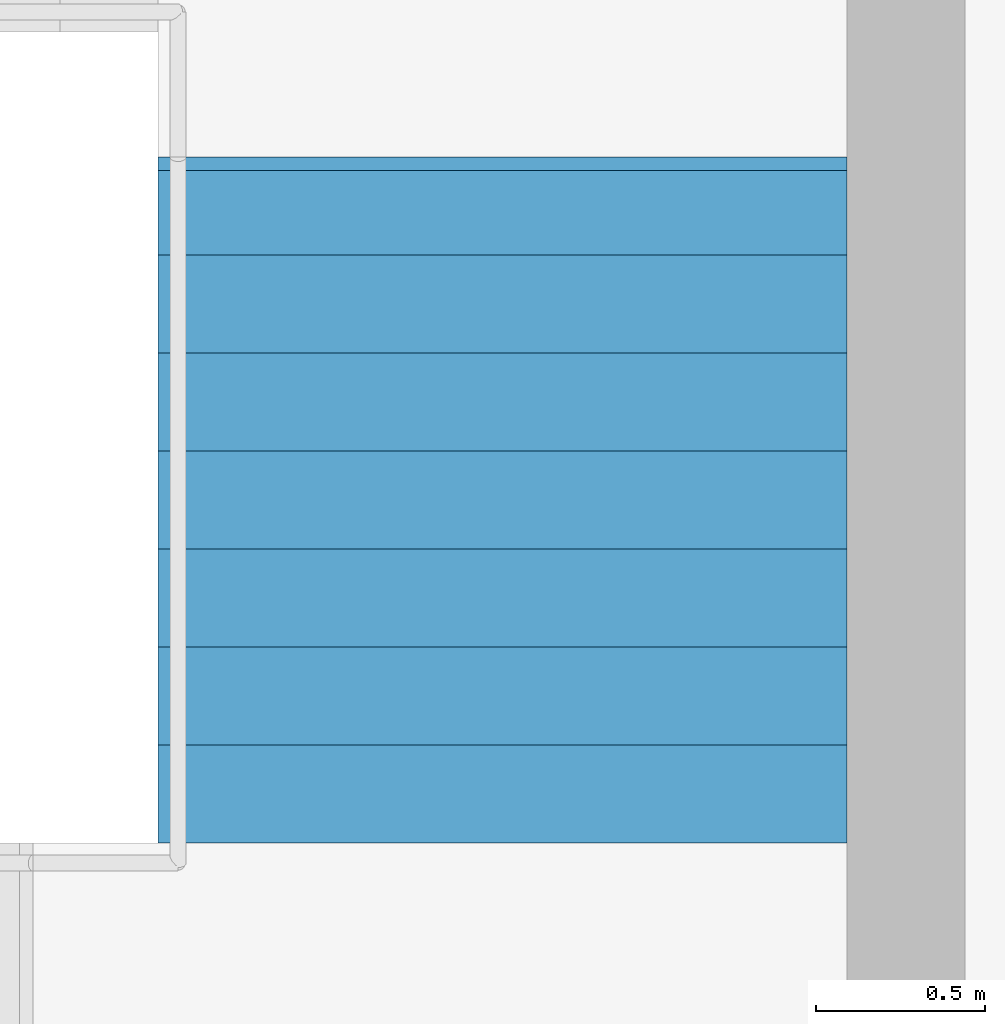
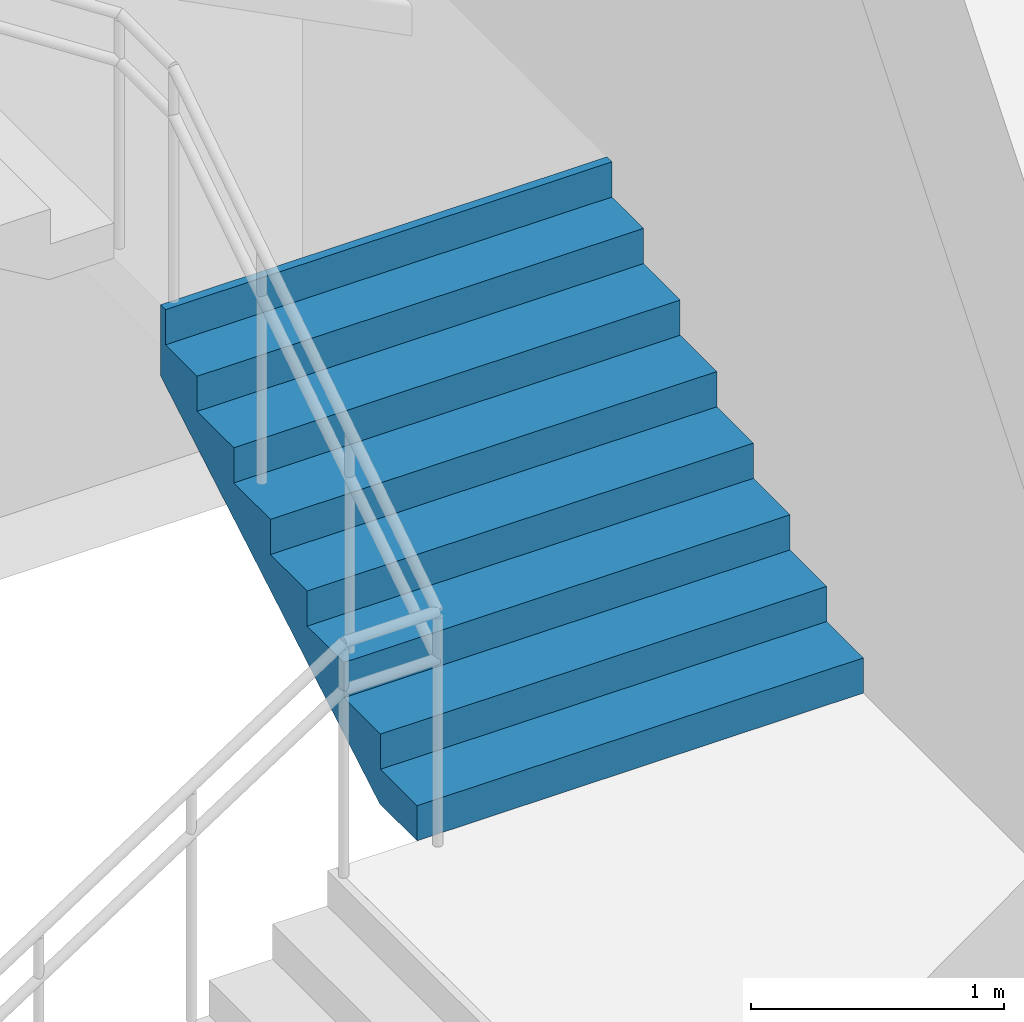
# One storey, part 32 of 50: 1 stair flight, 1 element without a shape of its own.
"""IFC4 building model written with IfcOpenShell, lengths in metres."""

from ifc_helpers import new_model, si_unit, direction, frame, origin, place, context, subcontext, project, spatial, triangles, material, type_object, element, aggregate, save


model = new_model("IFC4")

# Units and contexts
model_context = context("Model", 3, precision=1e-05, world=origin(), true_north=direction((0.0, 1.0)))
body_context = subcontext(model_context, "Body", "Model", "MODEL_VIEW")
ifc_project = project(units=[si_unit("LENGTHUNIT", "METRE"), si_unit("AREAUNIT", "SQUARE_METRE"), si_unit("VOLUMEUNIT", "CUBIC_METRE"), si_unit("PLANEANGLEUNIT", "RADIAN"), si_unit("MASSUNIT", "GRAM", prefix="KILO")], contexts=[model_context])

# Site, building, storey
site_placement = place(None, origin())
site = spatial("IfcSite", under=ifc_project, at=site_placement, CompositionType="ELEMENT")
building_placement = place(site_placement, origin())
building = spatial("IfcBuilding", under=site, at=building_placement, Name="Sillaruma Civic Art Gallery", CompositionType="ELEMENT")
storey_placement = place(building_placement, origin())
storey = spatial("IfcBuildingStorey", under=building, at=storey_placement, Name="L00", CompositionType="ELEMENT", Elevation=0.0)

# Stair, stair flight
ifc_material = material(Name="Concrete H35 (35 MPa)", Category="concrete")
stair_type = type_object("IfcStairType", Name="STR-4F-32", PredefinedType="USERDEFINED", material=ifc_material)
stair_placement = place(storey_placement, origin())
stair = element("IfcStair", 1, at=stair_placement, inside=storey, type_object=stair_type, Name="Protected Exit Stair ST-04 (East Bar) (L00)", ObjectType="THREE_RETURN_STAIR", PredefinedType="USERDEFINED")
stair_flight_type = type_object("IfcStairFlightType", Name="SFL-STR-8", PredefinedType="STRAIGHT", material=ifc_material)
stair_flight_placement = place(storey_placement, frame((104.320068359375, 53.25, 1.360107421875), z_axis=(0.0, 0.0, 1.0), x_axis=(0.0, 1.0, 0.0)))
stair_flight = element("IfcStairFlight", 2, at=stair_flight_placement, type_object=stair_flight_type, Name="ST-04 flight 2", NumberOfRisers=8, NumberOfTreads=7, PredefinedType="STRAIGHT", RiserHeight=0.17, TreadLength=0.29, context=body_context, shape_type="Tessellation", body=[
    triangles([(0.0, -1.02001953125, 0.0), (0.29, -1.02001953125, 0.0), (0.296443, -1.02001953125, 0.0), (0.58, -1.02001953125, 0.166223), (0.87, -1.02001953125, 0.336223), (1.16, -1.02001953125, 0.506223), (1.45, -1.02001953125, 0.676223), (1.74, -1.02001953125, 0.846223), (1.990029, -1.02001953125, 0.992792), (2.030029, -1.02001953125, 1.01624), (2.030029, -1.02001953125, 1.36), (1.990029, -1.02001953125, 1.36), (1.990029, -1.02001953125, 1.19), (1.74, -1.02001953125, 1.19), (1.74, -1.02001953125, 1.02), (1.45, -1.02001953125, 1.02), (1.45, -1.02001953125, 0.85), (1.16, -1.02001953125, 0.85), (1.16, -1.02001953125, 0.68), (0.87, -1.02001953125, 0.68), (0.87, -1.02001953125, 0.51), (0.58, -1.02001953125, 0.51), (0.58, -1.02001953125, 0.34), (0.296443, -1.02001953125, 0.34), (0.29, -1.02001953125, 0.34), (0.29, -1.02001953125, 0.17), (0.0, -1.02001953125, 0.17), (0.0, -0.05, 0.0), (0.29, -0.05, 0.0), (0.296443, -0.05, 0.0), (0.58, -0.05, 0.166223), (0.87, -0.05, 0.336223), (1.16, -0.05, 0.506223), (1.45, -0.05, 0.676223), (1.74, -0.05, 0.846223), (1.990029, -0.05, 0.992792), (2.030029, -0.05, 1.01624), (2.030029, -0.05, 1.36), (1.990029, -0.05, 1.36), (1.990029, -0.05, 1.19), (1.74, -0.05, 1.19), (1.74, -0.05, 1.02), (1.45, -0.05, 1.02), (1.45, -0.05, 0.85), (1.16, -0.05, 0.85), (1.16, -0.05, 0.68), (0.87, -0.05, 0.68), (0.87, -0.05, 0.51), (0.58, -0.05, 0.51), (0.58, -0.05, 0.34), (0.296443, -0.05, 0.34), (0.29, -0.05, 0.34), (0.29, -0.05, 0.17), (0.0, -0.05, 0.17), (0.0, -0.0375, 0.0), (0.29, -0.0375, 0.0), (0.296443, -0.0375, 0.0), (0.58, -0.0375, 0.166223), (0.87, -0.0375, 0.336223), (1.16, -0.0375, 0.506223), (1.45, -0.0375, 0.676223), (1.74, -0.0375, 0.846223), (1.990029, -0.0375, 0.992792), (2.030029, -0.0375, 1.01624), (2.030029, -0.0375, 1.36), (1.990029, -0.0375, 1.36), (1.990029, -0.0375, 1.19), (1.74, -0.0375, 1.19), (1.74, -0.0375, 1.02), (1.45, -0.0375, 1.02), (1.45, -0.0375, 0.85), (1.16, -0.0375, 0.85), (1.16, -0.0375, 0.68), (0.87, -0.0375, 0.68), (0.87, -0.0375, 0.51), (0.58, -0.0375, 0.51), (0.58, -0.0375, 0.34), (0.296443, -0.0375, 0.34), (0.29, -0.0375, 0.34), (0.29, -0.0375, 0.17), (0.0, -0.0375, 0.17), (0.0, -0.025, 0.0), (0.29, -0.025, 0.0), (0.296443, -0.025, 0.0), (0.58, -0.025, 0.166223), (0.87, -0.025, 0.336223), (1.16, -0.025, 0.506223), (1.45, -0.025, 0.676223), (1.74, -0.025, 0.846223), (1.990029, -0.025, 0.992792), (2.030029, -0.025, 1.01624), (2.030029, -0.025, 1.36), (1.990029, -0.025, 1.36), (1.990029, -0.025, 1.19), (1.74, -0.025, 1.19), (1.74, -0.025, 1.02), (1.45, -0.025, 1.02), (1.45, -0.025, 0.85), (1.16, -0.025, 0.85), (1.16, -0.025, 0.68), (0.87, -0.025, 0.68), (0.87, -0.025, 0.51), (0.58, -0.025, 0.51), (0.58, -0.025, 0.34), (0.296443, -0.025, 0.34), (0.29, -0.025, 0.34), (0.29, -0.025, 0.17), (0.0, -0.025, 0.17), (0.0, -0.0125, 0.0), (0.29, -0.0125, 0.0), (0.296443, -0.0125, 0.0), (0.58, -0.0125, 0.166223), (0.87, -0.0125, 0.336223), (1.16, -0.0125, 0.506223), (1.45, -0.0125, 0.676223), (1.74, -0.0125, 0.846223), (1.990029, -0.0125, 0.992792), (2.030029, -0.0125, 1.01624), (2.030029, -0.0125, 1.36), (1.990029, -0.0125, 1.36), (1.990029, -0.0125, 1.19), (1.74, -0.0125, 1.19), (1.74, -0.0125, 1.02), (1.45, -0.0125, 1.02), (1.45, -0.0125, 0.85), (1.16, -0.0125, 0.85), (1.16, -0.0125, 0.68), (0.87, -0.0125, 0.68), (0.87, -0.0125, 0.51), (0.58, -0.0125, 0.51), (0.58, -0.0125, 0.34), (0.296443, -0.0125, 0.34), (0.29, -0.0125, 0.34), (0.29, -0.0125, 0.17), (0.0, -0.0125, 0.17), (0.0, 0.0, 0.0), (0.29, 0.0, 0.0), (0.296443, 0.0, 0.0), (0.58, 0.0, 0.166223), (0.87, 0.0, 0.336223), (1.16, 0.0, 0.506223), (1.45, 0.0, 0.676223), (1.74, 0.0, 0.846223), (1.990029, 0.0, 0.992792), (2.030029, 0.0, 1.01624), (2.030029, 0.0, 1.36), (1.990029, 0.0, 1.36), (1.990029, 0.0, 1.19), (1.74, 0.0, 1.19), (1.74, 0.0, 1.02), (1.45, 0.0, 1.02), (1.45, 0.0, 0.85), (1.16, 0.0, 0.85), (1.16, 0.0, 0.68), (0.87, 0.0, 0.68), (0.87, 0.0, 0.51), (0.58, 0.0, 0.51), (0.58, 0.0, 0.34), (0.296443, 0.0, 0.34), (0.29, 0.0, 0.34), (0.29, 0.0, 0.17), (0.0, 0.0, 0.17), (0.0, 0.0125, 0.0), (0.29, 0.0125, 0.0), (0.296443, 0.0125, 0.0), (0.58, 0.0125, 0.166223), (0.87, 0.0125, 0.336223), (1.16, 0.0125, 0.506223), (1.45, 0.0125, 0.676223), (1.74, 0.0125, 0.846223), (1.990029, 0.0125, 0.992792), (2.030029, 0.0125, 1.01624), (2.030029, 0.0125, 1.36), (1.990029, 0.0125, 1.36), (1.990029, 0.0125, 1.19), (1.74, 0.0125, 1.19), (1.74, 0.0125, 1.02), (1.45, 0.0125, 1.02), (1.45, 0.0125, 0.85), (1.16, 0.0125, 0.85), (1.16, 0.0125, 0.68), (0.87, 0.0125, 0.68), (0.87, 0.0125, 0.51), (0.58, 0.0125, 0.51), (0.58, 0.0125, 0.34), (0.296443, 0.0125, 0.34), (0.29, 0.0125, 0.34), (0.29, 0.0125, 0.17), (0.0, 0.0125, 0.17), (0.0, 0.025, 0.0), (0.29, 0.025, 0.0), (0.296443, 0.025, 0.0), (0.58, 0.025, 0.166223), (0.87, 0.025, 0.336223), (1.16, 0.025, 0.506223), (1.45, 0.025, 0.676223), (1.74, 0.025, 0.846223), (1.990029, 0.025, 0.992792), (2.030029, 0.025, 1.01624), (2.030029, 0.025, 1.36), (1.990029, 0.025, 1.36), (1.990029, 0.025, 1.19), (1.74, 0.025, 1.19), (1.74, 0.025, 1.02), (1.45, 0.025, 1.02), (1.45, 0.025, 0.85), (1.16, 0.025, 0.85), (1.16, 0.025, 0.68), (0.87, 0.025, 0.68), (0.87, 0.025, 0.51), (0.58, 0.025, 0.51), (0.58, 0.025, 0.34), (0.296443, 0.025, 0.34), (0.29, 0.025, 0.34), (0.29, 0.025, 0.17), (0.0, 0.025, 0.17), (0.0, 0.0375, 0.0), (0.29, 0.0375, 0.0), (0.296443, 0.0375, 0.0), (0.58, 0.0375, 0.166223), (0.87, 0.0375, 0.336223), (1.16, 0.0375, 0.506223), (1.45, 0.0375, 0.676223), (1.74, 0.0375, 0.846223), (1.990029, 0.0375, 0.992792), (2.030029, 0.0375, 1.01624), (2.030029, 0.0375, 1.36), (1.990029, 0.0375, 1.36), (1.990029, 0.0375, 1.19), (1.74, 0.0375, 1.19), (1.74, 0.0375, 1.02), (1.45, 0.0375, 1.02), (1.45, 0.0375, 0.85), (1.16, 0.0375, 0.85), (1.16, 0.0375, 0.68), (0.87, 0.0375, 0.68), (0.87, 0.0375, 0.51), (0.58, 0.0375, 0.51), (0.58, 0.0375, 0.34), (0.296443, 0.0375, 0.34), (0.29, 0.0375, 0.34), (0.29, 0.0375, 0.17), (0.0, 0.0375, 0.17), (0.0, 0.05, 0.0), (0.29, 0.05, 0.0), (0.296443, 0.05, 0.0), (0.58, 0.05, 0.166223), (0.87, 0.05, 0.336223), (1.16, 0.05, 0.506223), (1.45, 0.05, 0.676223), (1.74, 0.05, 0.846223), (1.990029, 0.05, 0.992792), (2.030029, 0.05, 1.01624), (2.030029, 0.05, 1.36), (1.990029, 0.05, 1.36), (1.990029, 0.05, 1.19), (1.74, 0.05, 1.19), (1.74, 0.05, 1.02), (1.45, 0.05, 1.02), (1.45, 0.05, 0.85), (1.16, 0.05, 0.85), (1.16, 0.05, 0.68), (0.87, 0.05, 0.68), (0.87, 0.05, 0.51), (0.58, 0.05, 0.51), (0.58, 0.05, 0.34), (0.296443, 0.05, 0.34), (0.29, 0.05, 0.34), (0.29, 0.05, 0.17), (0.0, 0.05, 0.17), (0.0, 1.02001953125, 0.0), (0.29, 1.02001953125, 0.0), (0.296443, 1.02001953125, 0.0), (0.58, 1.02001953125, 0.166223), (0.87, 1.02001953125, 0.336223), (1.16, 1.02001953125, 0.506223), (1.45, 1.02001953125, 0.676223), (1.74, 1.02001953125, 0.846223), (1.990029, 1.02001953125, 0.992792), (2.030029, 1.02001953125, 1.01624), (2.030029, 1.02001953125, 1.36), (1.990029, 1.02001953125, 1.36), (1.990029, 1.02001953125, 1.19), (1.74, 1.02001953125, 1.19), (1.74, 1.02001953125, 1.02), (1.45, 1.02001953125, 1.02), (1.45, 1.02001953125, 0.85), (1.16, 1.02001953125, 0.85), (1.16, 1.02001953125, 0.68), (0.87, 1.02001953125, 0.68), (0.87, 1.02001953125, 0.51), (0.58, 1.02001953125, 0.51), (0.58, 1.02001953125, 0.34), (0.296443, 1.02001953125, 0.34), (0.29, 1.02001953125, 0.34), (0.29, 1.02001953125, 0.17), (0.0, 1.02001953125, 0.17)], [[1, 2, 26], [1, 26, 27], [2, 3, 24], [2, 24, 26], [26, 24, 25], [3, 4, 23], [3, 23, 24], [4, 5, 21], [4, 21, 23], [23, 21, 22], [5, 6, 19], [5, 19, 21], [21, 19, 20], [6, 7, 17], [6, 17, 19], [19, 17, 18], [7, 8, 15], [7, 15, 17], [17, 15, 16], [8, 9, 13], [8, 13, 15], [15, 13, 14], [9, 10, 11], [9, 11, 13], [13, 11, 12], [296, 272, 271], [297, 296, 271], [294, 273, 272], [296, 294, 272], [295, 294, 296], [293, 274, 273], [294, 293, 273], [291, 275, 274], [293, 291, 274], [292, 291, 293], [289, 276, 275], [291, 289, 275], [290, 289, 291], [287, 277, 276], [289, 287, 276], [288, 287, 289], [285, 278, 277], [287, 285, 277], [286, 285, 287], [283, 279, 278], [285, 283, 278], [284, 283, 285], [281, 280, 279], [283, 281, 279], [282, 281, 283], [2, 1, 28], [2, 28, 29], [3, 2, 29], [3, 29, 30], [4, 3, 30], [4, 30, 31], [5, 4, 31], [5, 31, 32], [6, 5, 32], [6, 32, 33], [7, 6, 33], [7, 33, 34], [8, 7, 34], [8, 34, 35], [9, 8, 35], [9, 35, 36], [10, 9, 36], [10, 36, 37], [11, 10, 37], [11, 37, 38], [12, 11, 38], [12, 38, 39], [13, 12, 39], [13, 39, 40], [14, 13, 40], [14, 40, 41], [15, 14, 41], [15, 41, 42], [16, 15, 42], [16, 42, 43], [17, 16, 43], [17, 43, 44], [18, 17, 44], [18, 44, 45], [19, 18, 45], [19, 45, 46], [20, 19, 46], [20, 46, 47], [21, 20, 47], [21, 47, 48], [22, 21, 48], [22, 48, 49], [23, 22, 49], [23, 49, 50], [24, 23, 50], [24, 50, 51], [25, 24, 51], [25, 51, 52], [26, 25, 52], [26, 52, 53], [27, 26, 53], [27, 53, 54], [1, 27, 54], [1, 54, 28], [29, 28, 55], [29, 55, 56], [30, 29, 56], [30, 56, 57], [31, 30, 57], [31, 57, 58], [32, 31, 58], [32, 58, 59], [33, 32, 59], [33, 59, 60], [34, 33, 60], [34, 60, 61], [35, 34, 61], [35, 61, 62], [36, 35, 62], [36, 62, 63], [37, 36, 63], [37, 63, 64], [38, 37, 64], [38, 64, 65], [39, 38, 65], [39, 65, 66], [40, 39, 66], [40, 66, 67], [41, 40, 67], [41, 67, 68], [42, 41, 68], [42, 68, 69], [43, 42, 69], [43, 69, 70], [44, 43, 70], [44, 70, 71], [45, 44, 71], [45, 71, 72], [46, 45, 72], [46, 72, 73], [47, 46, 73], [47, 73, 74], [48, 47, 74], [48, 74, 75], [49, 48, 75], [49, 75, 76], [50, 49, 76], [50, 76, 77], [51, 50, 77], [51, 77, 78], [52, 51, 78], [52, 78, 79], [53, 52, 79], [53, 79, 80], [54, 53, 80], [54, 80, 81], [28, 54, 81], [28, 81, 55], [56, 55, 82], [56, 82, 83], [57, 56, 83], [57, 83, 84], [58, 57, 84], [58, 84, 85], [59, 58, 85], [59, 85, 86], [60, 59, 86], [60, 86, 87], [61, 60, 87], [61, 87, 88], [62, 61, 88], [62, 88, 89], [63, 62, 89], [63, 89, 90], [64, 63, 90], [64, 90, 91], [65, 64, 91], [65, 91, 92], [66, 65, 92], [66, 92, 93], [67, 66, 93], [67, 93, 94], [68, 67, 94], [68, 94, 95], [69, 68, 95], [69, 95, 96], [70, 69, 96], [70, 96, 97], [71, 70, 97], [71, 97, 98], [72, 71, 98], [72, 98, 99], [73, 72, 99], [73, 99, 100], [74, 73, 100], [74, 100, 101], [75, 74, 101], [75, 101, 102], [76, 75, 102], [76, 102, 103], [77, 76, 103], [77, 103, 104], [78, 77, 104], [78, 104, 105], [79, 78, 105], [79, 105, 106], [80, 79, 106], [80, 106, 107], [81, 80, 107], [81, 107, 108], [55, 81, 108], [55, 108, 82], [83, 82, 109], [83, 109, 110], [84, 83, 110], [84, 110, 111], [85, 84, 111], [85, 111, 112], [86, 85, 112], [86, 112, 113], [87, 86, 113], [87, 113, 114], [88, 87, 114], [88, 114, 115], [89, 88, 115], [89, 115, 116], [90, 89, 116], [90, 116, 117], [91, 90, 117], [91, 117, 118], [92, 91, 118], [92, 118, 119], [93, 92, 119], [93, 119, 120], [94, 93, 120], [94, 120, 121], [95, 94, 121], [95, 121, 122], [96, 95, 122], [96, 122, 123], [97, 96, 123], [97, 123, 124], [98, 97, 124], [98, 124, 125], [99, 98, 125], [99, 125, 126], [100, 99, 126], [100, 126, 127], [101, 100, 127], [101, 127, 128], [102, 101, 128], [102, 128, 129], [103, 102, 129], [103, 129, 130], [104, 103, 130], [104, 130, 131], [105, 104, 131], [105, 131, 132], [106, 105, 132], [106, 132, 133], [107, 106, 133], [107, 133, 134], [108, 107, 134], [108, 134, 135], [82, 108, 135], [82, 135, 109], [110, 109, 136], [110, 136, 137], [111, 110, 137], [111, 137, 138], [112, 111, 138], [112, 138, 139], [113, 112, 139], [113, 139, 140], [114, 113, 140], [114, 140, 141], [115, 114, 141], [115, 141, 142], [116, 115, 142], [116, 142, 143], [117, 116, 143], [117, 143, 144], [118, 117, 144], [118, 144, 145], [119, 118, 145], [119, 145, 146], [120, 119, 146], [120, 146, 147], [121, 120, 147], [121, 147, 148], [122, 121, 148], [122, 148, 149], [123, 122, 149], [123, 149, 150], [124, 123, 150], [124, 150, 151], [125, 124, 151], [125, 151, 152], [126, 125, 152], [126, 152, 153], [127, 126, 153], [127, 153, 154], [128, 127, 154], [128, 154, 155], [129, 128, 155], [129, 155, 156], [130, 129, 156], [130, 156, 157], [131, 130, 157], [131, 157, 158], [132, 131, 158], [132, 158, 159], [133, 132, 159], [133, 159, 160], [134, 133, 160], [134, 160, 161], [135, 134, 161], [135, 161, 162], [109, 135, 162], [109, 162, 136], [137, 136, 163], [137, 163, 164], [138, 137, 164], [138, 164, 165], [139, 138, 165], [139, 165, 166], [140, 139, 166], [140, 166, 167], [141, 140, 167], [141, 167, 168], [142, 141, 168], [142, 168, 169], [143, 142, 169], [143, 169, 170], [144, 143, 170], [144, 170, 171], [145, 144, 171], [145, 171, 172], [146, 145, 172], [146, 172, 173], [147, 146, 173], [147, 173, 174], [148, 147, 174], [148, 174, 175], [149, 148, 175], [149, 175, 176], [150, 149, 176], [150, 176, 177], [151, 150, 177], [151, 177, 178], [152, 151, 178], [152, 178, 179], [153, 152, 179], [153, 179, 180], [154, 153, 180], [154, 180, 181], [155, 154, 181], [155, 181, 182], [156, 155, 182], [156, 182, 183], [157, 156, 183], [157, 183, 184], [158, 157, 184], [158, 184, 185], [159, 158, 185], [159, 185, 186], [160, 159, 186], [160, 186, 187], [161, 160, 187], [161, 187, 188], [162, 161, 188], [162, 188, 189], [136, 162, 189], [136, 189, 163], [164, 163, 190], [164, 190, 191], [165, 164, 191], [165, 191, 192], [166, 165, 192], [166, 192, 193], [167, 166, 193], [167, 193, 194], [168, 167, 194], [168, 194, 195], [169, 168, 195], [169, 195, 196], [170, 169, 196], [170, 196, 197], [171, 170, 197], [171, 197, 198], [172, 171, 198], [172, 198, 199], [173, 172, 199], [173, 199, 200], [174, 173, 200], [174, 200, 201], [175, 174, 201], [175, 201, 202], [176, 175, 202], [176, 202, 203], [177, 176, 203], [177, 203, 204], [178, 177, 204], [178, 204, 205], [179, 178, 205], [179, 205, 206], [180, 179, 206], [180, 206, 207], [181, 180, 207], [181, 207, 208], [182, 181, 208], [182, 208, 209], [183, 182, 209], [183, 209, 210], [184, 183, 210], [184, 210, 211], [185, 184, 211], [185, 211, 212], [186, 185, 212], [186, 212, 213], [187, 186, 213], [187, 213, 214], [188, 187, 214], [188, 214, 215], [189, 188, 215], [189, 215, 216], [163, 189, 216], [163, 216, 190], [191, 190, 217], [191, 217, 218], [192, 191, 218], [192, 218, 219], [193, 192, 219], [193, 219, 220], [194, 193, 220], [194, 220, 221], [195, 194, 221], [195, 221, 222], [196, 195, 222], [196, 222, 223], [197, 196, 223], [197, 223, 224], [198, 197, 224], [198, 224, 225], [199, 198, 225], [199, 225, 226], [200, 199, 226], [200, 226, 227], [201, 200, 227], [201, 227, 228], [202, 201, 228], [202, 228, 229], [203, 202, 229], [203, 229, 230], [204, 203, 230], [204, 230, 231], [205, 204, 231], [205, 231, 232], [206, 205, 232], [206, 232, 233], [207, 206, 233], [207, 233, 234], [208, 207, 234], [208, 234, 235], [209, 208, 235], [209, 235, 236], [210, 209, 236], [210, 236, 237], [211, 210, 237], [211, 237, 238], [212, 211, 238], [212, 238, 239], [213, 212, 239], [213, 239, 240], [214, 213, 240], [214, 240, 241], [215, 214, 241], [215, 241, 242], [216, 215, 242], [216, 242, 243], [190, 216, 243], [190, 243, 217], [218, 217, 244], [218, 244, 245], [219, 218, 245], [219, 245, 246], [220, 219, 246], [220, 246, 247], [221, 220, 247], [221, 247, 248], [222, 221, 248], [222, 248, 249], [223, 222, 249], [223, 249, 250], [224, 223, 250], [224, 250, 251], [225, 224, 251], [225, 251, 252], [226, 225, 252], [226, 252, 253], [227, 226, 253], [227, 253, 254], [228, 227, 254], [228, 254, 255], [229, 228, 255], [229, 255, 256], [230, 229, 256], [230, 256, 257], [231, 230, 257], [231, 257, 258], [232, 231, 258], [232, 258, 259], [233, 232, 259], [233, 259, 260], [234, 233, 260], [234, 260, 261], [235, 234, 261], [235, 261, 262], [236, 235, 262], [236, 262, 263], [237, 236, 263], [237, 263, 264], [238, 237, 264], [238, 264, 265], [239, 238, 265], [239, 265, 266], [240, 239, 266], [240, 266, 267], [241, 240, 267], [241, 267, 268], [242, 241, 268], [242, 268, 269], [243, 242, 269], [243, 269, 270], [217, 243, 270], [217, 270, 244], [245, 244, 271], [245, 271, 272], [246, 245, 272], [246, 272, 273], [247, 246, 273], [247, 273, 274], [248, 247, 274], [248, 274, 275], [249, 248, 275], [249, 275, 276], [250, 249, 276], [250, 276, 277], [251, 250, 277], [251, 277, 278], [252, 251, 278], [252, 278, 279], [253, 252, 279], [253, 279, 280], [254, 253, 280], [254, 280, 281], [255, 254, 281], [255, 281, 282], [256, 255, 282], [256, 282, 283], [257, 256, 283], [257, 283, 284], [258, 257, 284], [258, 284, 285], [259, 258, 285], [259, 285, 286], [260, 259, 286], [260, 286, 287], [261, 260, 287], [261, 287, 288], [262, 261, 288], [262, 288, 289], [263, 262, 289], [263, 289, 290], [264, 263, 290], [264, 290, 291], [265, 264, 291], [265, 291, 292], [266, 265, 292], [266, 292, 293], [267, 266, 293], [267, 293, 294], [268, 267, 294], [268, 294, 295], [269, 268, 295], [269, 295, 296], [270, 269, 296], [270, 296, 297], [244, 270, 297], [244, 297, 271]], closed=True),
])
aggregate(stair, [stair_flight])

save(model, "model.ifc")
